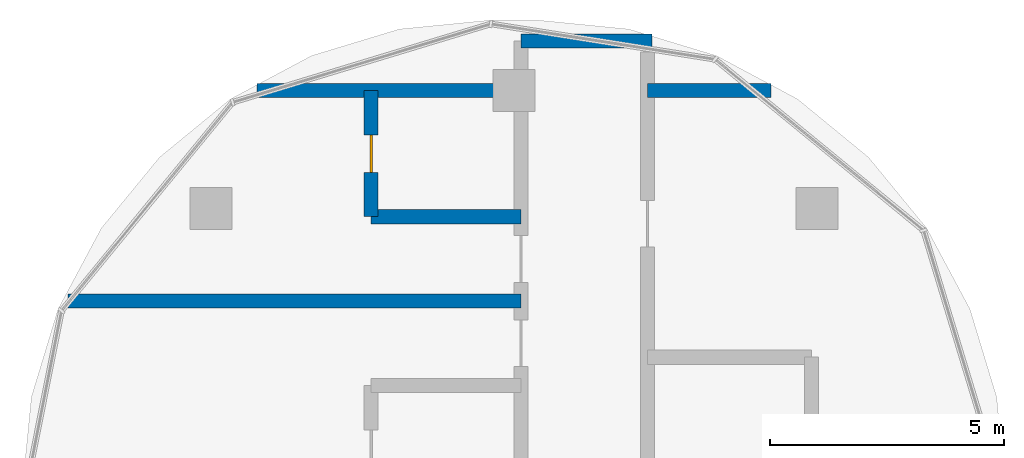
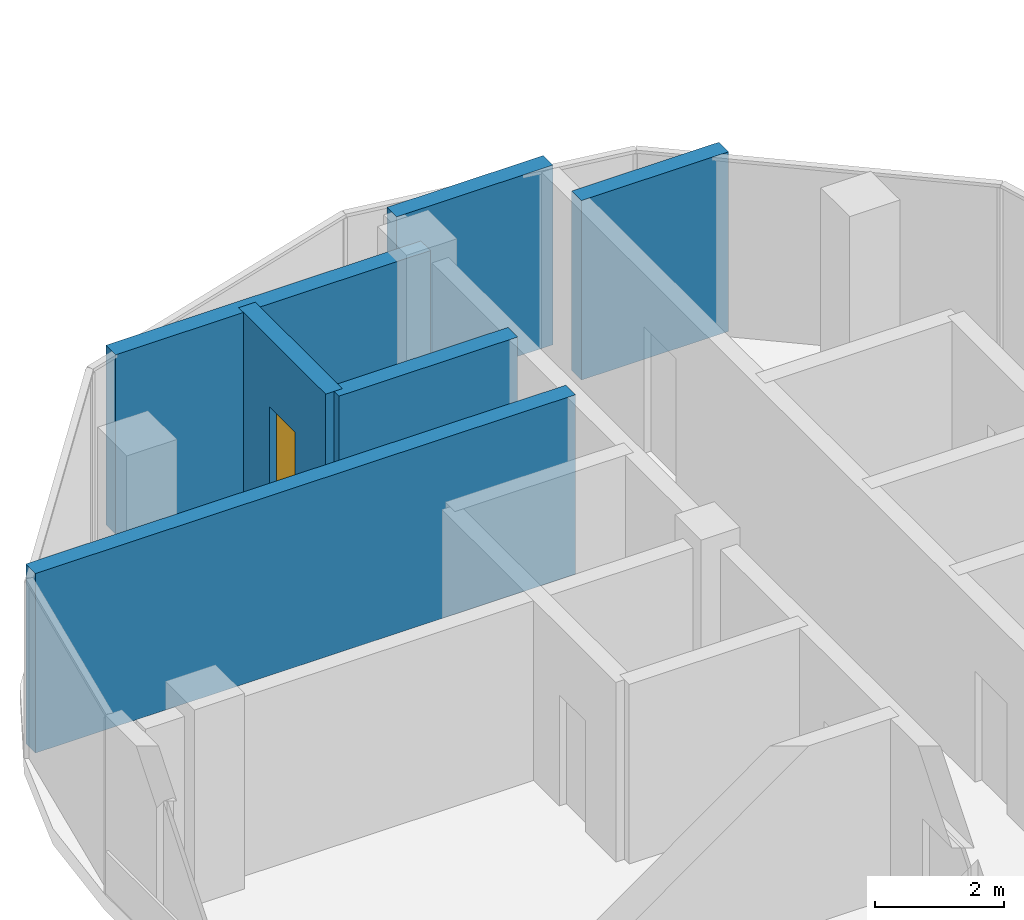
# One storey, part 13 of 19: 6 walls, 1 door, 1 opening.
"""IFC4 building model written with IfcOpenShell, lengths in metres."""

from ifc_helpers import new_model, si_unit, direction, frame, frame_2d, origin, place, context, subcontext, project, spatial, rectangle, extrude, material, layer, layer_set, type_object, element, fill, save


model = new_model("IFC4")

# Units and contexts
model_context = context("Model", 3, precision=1e-05, world=origin(), true_north=direction((0.0, 1.0)))
body_context = subcontext(model_context, "Body", "Model", "MODEL_VIEW")
ifc_project = project(units=[si_unit("LENGTHUNIT", "METRE"), si_unit("AREAUNIT", "SQUARE_METRE"), si_unit("VOLUMEUNIT", "CUBIC_METRE"), si_unit("PLANEANGLEUNIT", "RADIAN"), si_unit("MASSUNIT", "GRAM", prefix="KILO")], contexts=[model_context])

# Site, building, storey
site_placement = place(None, origin())
site = spatial("IfcSite", under=ifc_project, at=site_placement, CompositionType="ELEMENT")
building_placement = place(site_placement, origin())
building = spatial("IfcBuilding", under=site, at=building_placement, Name="Ogive Portal Towers", CompositionType="ELEMENT")
storey_placement = place(building_placement, frame((0.0, 0.0, 229.10009765625)))
storey = spatial("IfcBuildingStorey", under=building, at=storey_placement, Name="L57", CompositionType="ELEMENT", Elevation=229.10009765625)

# Walls
ifc_material_1 = material(Name="Gypsum board partition on steel studs", Category="steel")
ifc_layer = layer(ifc_material_1, 0.300048828125)
ifc_layer_set = layer_set([ifc_layer], Name="WT-PART-300-EI 60")
wall_type = type_object("IfcWallType", Name="WT-PART-300-EI 60", PredefinedType="PARTITIONING", material=ifc_layer_set)
wall_1_placement = place(storey_placement, frame((30.97705078125, 53.0, 0.0), z_axis=(0.0, 0.0, 1.0), x_axis=(1.0, 0.0, 0.0)))
element("IfcWall", 1, at=wall_1_placement, inside=storey, type_object=wall_type, Name="Wall L57:w023", PredefinedType="PARTITIONING", context=body_context, shape_type="SweptSolid", body=[
    extrude(rectangle(XDim=9.6728515625, YDim=0.300048828125, at=frame_2d((4.83642578125, 0.0))), origin(), (0.0, 0.0, 1.0), 3.39990234375),
])
wall_2_placement = place(storey_placement, frame((37.449951171875, 54.800048828125, 0.0), z_axis=(0.0, 0.0, 1.0), x_axis=(1.0, 0.0, 0.0)))
element("IfcWall", 2, at=wall_2_placement, inside=storey, type_object=wall_type, Name="Wall L57:w024", PredefinedType="PARTITIONING", context=body_context, shape_type="SweptSolid", body=[
    extrude(rectangle(XDim=3.199951171875, YDim=0.300048828125, at=frame_2d((1.60009765625, 0.0))), origin(), (0.0, 0.0, 1.0), 3.39990234375),
])
wall_3_placement = place(storey_placement, frame((35.012939453125, 57.5, 0.0), z_axis=(0.0, 0.0, 1.0), x_axis=(1.0, 0.0, 0.0)))
element("IfcWall", 3, at=wall_3_placement, inside=storey, type_object=wall_type, Name="Wall L57:w025", PredefinedType="PARTITIONING", context=body_context, shape_type="SweptSolid", body=[
    extrude(rectangle(XDim=5.636962890625, YDim=0.300048828125, at=frame_2d((2.818359375, 0.0))), origin(), (0.0, 0.0, 1.0), 3.39990234375),
])
wall_4_placement = place(storey_placement, frame((43.35009765625, 57.5, 0.0), z_axis=(0.0, 0.0, 1.0), x_axis=(1.0, 0.0, 0.0)))
element("IfcWall", 4, at=wall_4_placement, inside=storey, type_object=wall_type, Name="Wall L57:w026", PredefinedType="PARTITIONING", context=body_context, shape_type="SweptSolid", body=[
    extrude(rectangle(XDim=2.636962890625, YDim=0.300048828125, at=frame_2d((1.318359375, 0.0))), origin(), (0.0, 0.0, 1.0), 3.39990234375),
])
wall_5_placement = place(storey_placement, frame((40.64990234375, 58.550048828125, 0.0), z_axis=(0.0, 0.0, 1.0), x_axis=(1.0, 0.0, 0.0)))
element("IfcWall", 5, at=wall_5_placement, inside=storey, type_object=wall_type, Name="Wall L57:w027", PredefinedType="PARTITIONING", context=body_context, shape_type="SweptSolid", body=[
    extrude(rectangle(XDim=2.796142578125, YDim=0.300048828125, at=frame_2d((1.39794921875, 0.0))), origin(), (0.0, 0.0, 1.0), 3.39990234375),
])

# Wall, opening, door
wall_6_placement = place(storey_placement, frame((37.449951171875, 54.800048828125, 0.0), z_axis=(0.0, 0.0, 1.0), x_axis=(0.0, 1.0, 0.0)))
wall_6 = element("IfcWall", 6, at=wall_6_placement, inside=storey, type_object=wall_type, Name="Wall L57:w029", PredefinedType="PARTITIONING", context=body_context, shape_type="SweptSolid", body=[
    extrude(rectangle(XDim=2.699951171875, YDim=0.300048828125, at=frame_2d((1.35009765625, 0.0))), origin(), (0.0, 0.0, 1.0), 3.39990234375),
])
opening_placement = place(wall_6_placement, frame((0.949951171875, 0.0, 0.0)))
opening = element("IfcOpeningElement", 7, at=opening_placement, cuts=wall_6, Name="Opening D25-053", PredefinedType="OPENING", context=body_context, shape_type="SweptSolid", body=[
    extrude(rectangle(XDim=0.800048828125, YDim=2.10009765625, at=frame_2d((0.39990234375, 1.050048828125))), frame((0.0, 0.16015625, 0.0), z_axis=(0.0, -1.0, 0.0), x_axis=(1.0, 0.0, 0.0)), (0.0, 0.0, 1.0), 0.320068359375),
])
ifc_material_2 = material(Name="Steel fire door", Category="steel")
door_type = type_object("IfcDoorType", Name="DT-BATH-800x2100-FD60S", OperationType="SINGLE_SWING_LEFT", PredefinedType="DOOR", material=ifc_material_2)
door_placement = place(opening_placement, origin())
door = element("IfcDoor", 8, at=door_placement, inside=storey, type_object=door_type, Name="Door D25-053", OperationType="SINGLE_SWING_LEFT", OverallHeight=2.10009765625, OverallWidth=0.800048828125, PredefinedType="DOOR", context=body_context, shape_type="SweptSolid", body=[
    extrude(rectangle(XDim=0.800048828125, YDim=2.10009765625, at=frame_2d((0.39990234375, 1.050048828125))), frame((0.0, 0.02490234375, 0.0), z_axis=(0.0, -1.0, 0.0), x_axis=(1.0, 0.0, 0.0)), (0.0, 0.0, 1.0), 0.050048828125),
])
fill(opening, door)

save(model, "model.ifc")
